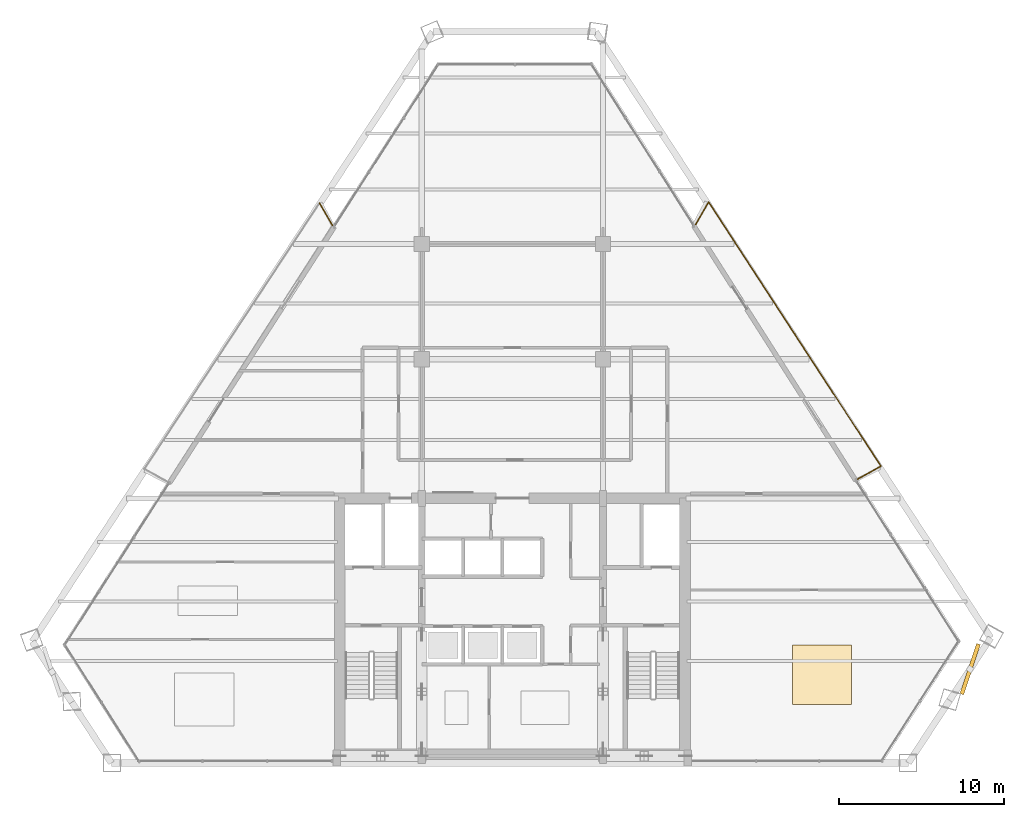
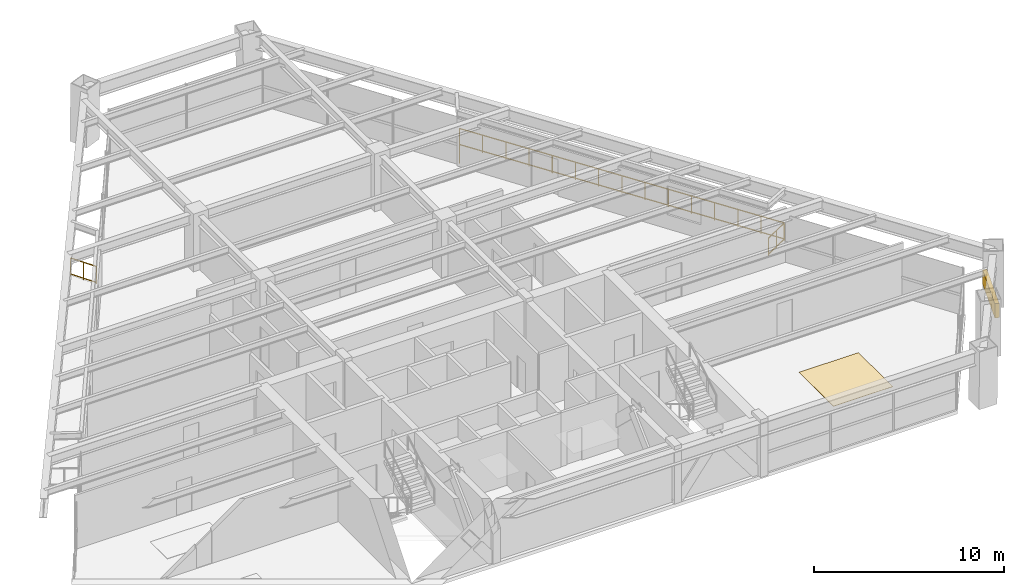
# One storey, part 15 of 16: 4 railings, 1 covering, 1 shading device.
"""IFC4 building model written with IfcOpenShell, lengths in metres."""

from ifc_helpers import new_model, si_unit, direction, frame, origin, origin_2d, place, context, subcontext, project, spatial, rectangle, extrude, source, transform, mapped, material, layer, layer_set, type_object, type_shapes, element, save


model = new_model("IFC4")

# Units and contexts
model_context = context("Model", 3, precision=1e-05, world=origin(), true_north=direction((0.0, 1.0)))
body_context = subcontext(model_context, "Body", "Model", "MODEL_VIEW")
ifc_project = project(units=[si_unit("LENGTHUNIT", "METRE"), si_unit("AREAUNIT", "SQUARE_METRE"), si_unit("VOLUMEUNIT", "CUBIC_METRE"), si_unit("PLANEANGLEUNIT", "RADIAN"), si_unit("MASSUNIT", "GRAM", prefix="KILO")], contexts=[model_context])

# Site, building, storey
site_placement = place(None, origin())
site = spatial("IfcSite", under=ifc_project, at=site_placement, CompositionType="ELEMENT")
building_placement = place(site_placement, origin())
building = spatial("IfcBuilding", under=site, at=building_placement, Name="Varnakhor Terracotta Tower", CompositionType="ELEMENT")
storey_placement = place(building_placement, frame((0.0, 0.0, 151.5)))
storey = spatial("IfcBuildingStorey", under=building, at=storey_placement, Name="L38", CompositionType="ELEMENT", Elevation=151.5)

# Railings
ifc_material_1 = material(Name="Stainless Steel & Laminated Glass Guardrail", Category="steel")
railing_type = type_object("IfcRailingType", Name="RLG-LOGGIA-GUARD-1150", PredefinedType="GUARDRAIL", material=ifc_material_1)
railing_1_placement = place(storey_placement, frame((11.12255859375, 32.682373046875, 0.0)))
element("IfcRailing", 1, at=railing_1_placement, inside=storey, type_object=railing_type, Name="L38 E Loggia Glass Guard 1", PredefinedType="GUARDRAIL", context=body_context, shape_type="SweptSolid", body=[
    extrude(rectangle(XDim=0.048095703125, YDim=0.048095703125, at=origin_2d()), frame((0.0, 0.0, 1.1259765625), z_axis=(0.502079179502, 0.864821656476, 0.0), x_axis=(-0.864821656476, 0.502079179502, 0.0)), (0.0, 0.0, 1.0), 1.568115234375),
    extrude(rectangle(XDim=0.048095703125, YDim=0.048095703125, at=origin_2d()), frame((0.0, 0.0, 0.10009765625), z_axis=(0.502079179502, 0.864821656476, 0.0), x_axis=(-0.864821656476, 0.502079179502, 0.0)), (0.0, 0.0, 1.0), 1.568115234375),
    extrude(rectangle(XDim=0.0419921875, YDim=0.0419921875, at=origin_2d()), origin(), (0.0, 0.0, 1.0), 1.101806640625),
    extrude(rectangle(XDim=0.0419921875, YDim=0.0419921875, at=origin_2d()), frame((0.3935546875, 0.67822265625, 0.0)), (0.0, 0.0, 1.0), 1.101806640625),
    extrude(rectangle(XDim=0.0419921875, YDim=0.0419921875, at=origin_2d()), frame((0.787353515625, 1.356201171875, 0.0)), (0.0, 0.0, 1.0), 1.101806640625),
])
railing_2_placement = place(storey_placement, frame((11.909912109375, 34.03857421875, 0.0)))
element("IfcRailing", 2, at=railing_2_placement, inside=storey, type_object=railing_type, Name="L38 E Loggia Glass Guard 2", PredefinedType="GUARDRAIL", context=body_context, shape_type="SweptSolid", body=[
    extrude(rectangle(XDim=0.048095703125, YDim=0.048095703125, at=origin_2d()), frame((0.0, 0.0, 1.1259765625), z_axis=(0.546260383694, -0.837615420827, 0.0), x_axis=(0.837615420827, 0.546260383694, 0.0)), (0.0, 0.0, 1.0), 19.129638671875),
    extrude(rectangle(XDim=0.048095703125, YDim=0.048095703125, at=origin_2d()), frame((0.0, 0.0, 0.10009765625), z_axis=(0.546260383694, -0.837615420827, 0.0), x_axis=(0.837615420827, 0.546260383694, 0.0)), (0.0, 0.0, 1.0), 19.129638671875),
    extrude(rectangle(XDim=0.0419921875, YDim=0.0419921875, at=origin_2d()), origin(), (0.0, 0.0, 1.0), 1.101806640625),
    extrude(rectangle(XDim=0.0419921875, YDim=0.0419921875, at=origin_2d()), frame((0.746337890625, -1.14453125, 0.0)), (0.0, 0.0, 1.0), 1.101806640625),
    extrude(rectangle(XDim=0.0419921875, YDim=0.0419921875, at=origin_2d()), frame((1.492919921875, -2.2890625, 0.0)), (0.0, 0.0, 1.0), 1.101806640625),
    extrude(rectangle(XDim=0.0419921875, YDim=0.0419921875, at=origin_2d()), frame((2.2392578125, -3.43359375, 0.0)), (0.0, 0.0, 1.0), 1.101806640625),
    extrude(rectangle(XDim=0.0419921875, YDim=0.0419921875, at=origin_2d()), frame((2.985595703125, -4.578125, 0.0)), (0.0, 0.0, 1.0), 1.101806640625),
    extrude(rectangle(XDim=0.0419921875, YDim=0.0419921875, at=origin_2d()), frame((3.73193359375, -5.72265625, 0.0)), (0.0, 0.0, 1.0), 1.101806640625),
    extrude(rectangle(XDim=0.0419921875, YDim=0.0419921875, at=origin_2d()), frame((4.478515625, -6.8671875, 0.0)), (0.0, 0.0, 1.0), 1.101806640625),
    extrude(rectangle(XDim=0.0419921875, YDim=0.0419921875, at=origin_2d()), frame((5.224853515625, -8.01171875, 0.0)), (0.0, 0.0, 1.0), 1.101806640625),
    extrude(rectangle(XDim=0.0419921875, YDim=0.0419921875, at=origin_2d()), frame((5.97119140625, -9.156005859375, 0.0)), (0.0, 0.0, 1.0), 1.101806640625),
    extrude(rectangle(XDim=0.0419921875, YDim=0.0419921875, at=origin_2d()), frame((6.7177734375, -10.300537109375, 0.0)), (0.0, 0.0, 1.0), 1.101806640625),
    extrude(rectangle(XDim=0.0419921875, YDim=0.0419921875, at=origin_2d()), frame((7.464111328125, -11.445068359375, 0.0)), (0.0, 0.0, 1.0), 1.101806640625),
    extrude(rectangle(XDim=0.0419921875, YDim=0.0419921875, at=origin_2d()), frame((8.21044921875, -12.589599609375, 0.0)), (0.0, 0.0, 1.0), 1.101806640625),
    extrude(rectangle(XDim=0.0419921875, YDim=0.0419921875, at=origin_2d()), frame((8.956787109375, -13.734130859375, 0.0)), (0.0, 0.0, 1.0), 1.101806640625),
    extrude(rectangle(XDim=0.0419921875, YDim=0.0419921875, at=origin_2d()), frame((9.703369140625, -14.878662109375, 0.0)), (0.0, 0.0, 1.0), 1.101806640625),
    extrude(rectangle(XDim=0.0419921875, YDim=0.0419921875, at=origin_2d()), frame((10.44970703125, -16.023193359375, 0.0)), (0.0, 0.0, 1.0), 1.101806640625),
])
railing_3_placement = place(storey_placement, frame((22.359619140625, 18.015380859375, 0.0)))
element("IfcRailing", 3, at=railing_3_placement, inside=storey, type_object=railing_type, Name="L38 E Loggia Glass Guard 3", PredefinedType="GUARDRAIL", context=body_context, shape_type="SweptSolid", body=[
    extrude(rectangle(XDim=0.048095703125, YDim=0.048095703125, at=origin_2d()), frame((0.0, 0.0, 1.1259765625), z_axis=(-0.871397338231, -0.490577903012, 0.0), x_axis=(0.490577903012, -0.871397338231, 0.0)), (0.0, 0.0, 1.0), 1.6103515625),
    extrude(rectangle(XDim=0.048095703125, YDim=0.048095703125, at=origin_2d()), frame((0.0, 0.0, 0.10009765625), z_axis=(-0.871397338231, -0.490577903012, 0.0), x_axis=(0.490577903012, -0.871397338231, 0.0)), (0.0, 0.0, 1.0), 1.6103515625),
    extrude(rectangle(XDim=0.0419921875, YDim=0.0419921875, at=origin_2d()), origin(), (0.0, 0.0, 1.0), 1.101806640625),
    extrude(rectangle(XDim=0.0419921875, YDim=0.0419921875, at=origin_2d()), frame((-0.70166015625, -0.39501953125, 0.0)), (0.0, 0.0, 1.0), 1.101806640625),
    extrude(rectangle(XDim=0.0419921875, YDim=0.0419921875, at=origin_2d()), frame((-1.4033203125, -0.7900390625, 0.0)), (0.0, 0.0, 1.0), 1.101806640625),
])
railing_4_placement = place(storey_placement, frame((-11.70849609375, 33.9765625, 0.0)))
element("IfcRailing", 4, at=railing_4_placement, inside=storey, type_object=railing_type, Name="L38 W Loggia Glass Guard 3", PredefinedType="GUARDRAIL", context=body_context, shape_type="SweptSolid", body=[
    extrude(rectangle(XDim=0.048095703125, YDim=0.048095703125, at=origin_2d()), frame((0.0, 0.0, 1.1259765625), z_axis=(0.504035652674, -0.863682847366, 0.0), x_axis=(0.863682847366, 0.504035652674, 0.0)), (0.0, 0.0, 1.0), 1.5673828125),
    extrude(rectangle(XDim=0.048095703125, YDim=0.048095703125, at=origin_2d()), frame((0.0, 0.0, 0.10009765625), z_axis=(0.504035652674, -0.863682847366, 0.0), x_axis=(0.863682847366, 0.504035652674, 0.0)), (0.0, 0.0, 1.0), 1.5673828125),
    extrude(rectangle(XDim=0.0419921875, YDim=0.0419921875, at=origin_2d()), origin(), (0.0, 0.0, 1.0), 1.101806640625),
    extrude(rectangle(XDim=0.0419921875, YDim=0.0419921875, at=origin_2d()), frame((0.39501953125, -0.6767578125, 0.0)), (0.0, 0.0, 1.0), 1.101806640625),
    extrude(rectangle(XDim=0.0419921875, YDim=0.0419921875, at=origin_2d()), frame((0.7900390625, -1.353759765625, 0.0)), (0.0, 0.0, 1.0), 1.101806640625),
])

# Shading device
ifc_material_2 = material(Name="Extruded Architectural Terracotta Screen", Category="masonry")
shading_device_type = type_object("IfcShadingDeviceType", Name="TERRACOTTA SOLAR SCREEN E", PredefinedType="USERDEFINED", material=ifc_material_2)
shared_shape_1 = source(origin(), body_context, "Body", "SweptSolid", [
    extrude(rectangle(XDim=3.199951171875, YDim=0.239990234375, at=origin_2d()), origin(), (0.0, 0.0, 1.0), 0.919921875),
])
type_shapes(shading_device_type, [shared_shape_1])
shading_device_placement = place(storey_placement, frame((27.7783203125, 5.69677734375, 1.7099609375), z_axis=(0.0, 0.0, 1.0), x_axis=(0.314091877849, 0.949392591223, 0.0)))
element("IfcShadingDevice", 5, at=shading_device_placement, inside=storey, type_object=shading_device_type, Name="L38 E Terracotta Solar Screen", ObjectType="SCREEN", PredefinedType="USERDEFINED", context=body_context, shape_type="MappedRepresentation", body=[
    mapped(shared_shape_1, transform((0.0, 0.0, 0.0), scale=1.0)),
])

# Covering
ifc_material_3 = material(Name="Honed Riyadh Limestone Flooring", Category="masonry")
ifc_layer = layer(ifc_material_3, 0.030029296875, Name="Honed Riyadh Limestone Flooring")
ifc_layer_set = layer_set([ifc_layer], Name="Honed Riyadh Limestone Flooring")
covering_type = type_object("IfcCoveringType", Name="COV-FLOOR-LIMESTONE", PredefinedType="FLOORING", material=ifc_layer_set)
shared_shape_2 = source(origin(), body_context, "Body", "SweptSolid", [
    extrude(rectangle(XDim=3.60009765625, YDim=3.60009765625, at=origin_2d()), origin(), (0.0, 0.0, 1.0), 0.02001953125),
])
covering_placement = place(storey_placement, frame((18.7900390625, 5.35205078125, 0.0), z_axis=(0.0, 0.0, 1.0), x_axis=(1.0, 0.0, 0.0)))
element("IfcCovering", 6, at=covering_placement, inside=storey, type_object=covering_type, Name="L38 Honed Stone Flooring 4", PredefinedType="FLOORING", context=body_context, shape_type="MappedRepresentation", body=[
    mapped(shared_shape_2, transform((0.0, 0.0, 0.0), scale=1.0)),
])

save(model, "model.ifc")
